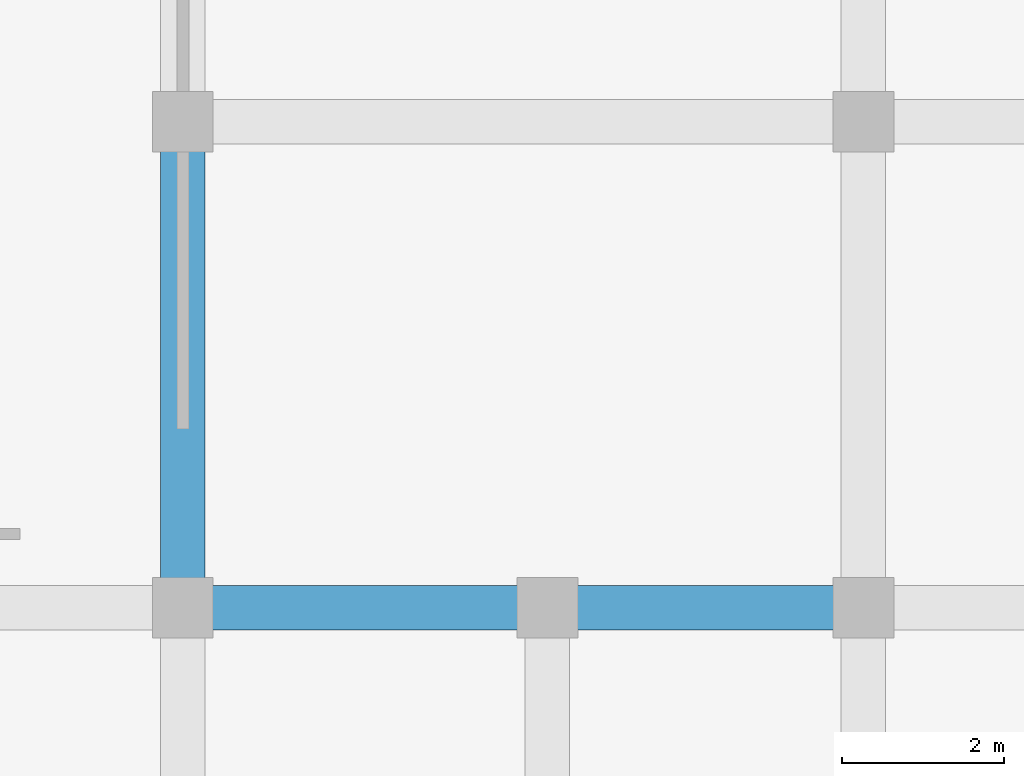
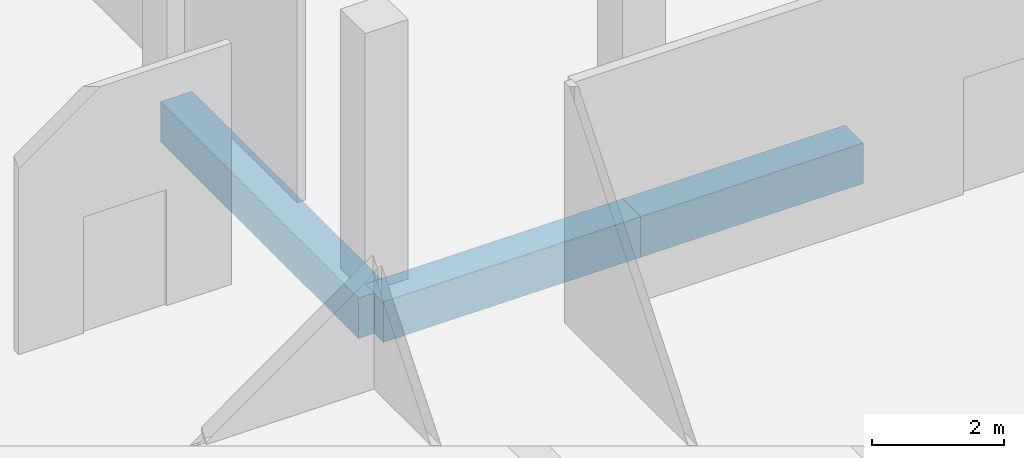
# One storey, part 64 of 155: 3 beams.
"""IFC4 building model written with IfcOpenShell, lengths in metres."""

import ifcopenshell
import ifcopenshell.guid

model = None  # the IFC model being written
_history = None  # IfcOwnerHistory: only IFC2X3 demands one
_inside = {}  # id of a spatial element -> (the spatial element, [elements in it])
_under = {}  # id of a project, library or spatial element -> (it, [spatial elements below it])
_declared = {}  # id of a project -> (the project, [libraries it declares])
_typed = {}  # id of a type object -> (the type object, [elements of that type])
_made_of = {}  # id of a material, layer set ... -> (it, [elements and type objects made of it])


def new_model(schema):
    """Start an empty IFC model of exactly this schema.

    Asked for "IFC4X3", IfcOpenShell would pick the latest addendum, in which some entities
    have other attributes; the version numbers below select the first issue.
    IFC2X3 requires an IfcOwnerHistory on every rooted entity: one is made here for all.
    """
    global model, _history
    if schema == "IFC4X3":
        model = ifcopenshell.file(schema_version=(4, 3, 0, 0))
    else:
        model = ifcopenshell.file(schema=schema)
    _inside.clear()
    _under.clear()
    _declared.clear()
    _typed.clear()
    _made_of.clear()
    _history = None
    if model.schema == "IFC2X3":
        org = make("IfcOrganization", Name="unknown")
        user = make(
            "IfcPersonAndOrganization",
            ThePerson=make("IfcPerson", FamilyName="unknown"),
            TheOrganization=org,
        )
        app = make(
            "IfcApplication",
            ApplicationDeveloper=org,
            Version="unknown",
            ApplicationFullName="unknown",
            ApplicationIdentifier="unknown",
        )
        _history = make(
            "IfcOwnerHistory",
            OwningUser=user,
            OwningApplication=app,
            ChangeAction="ADDED",
            CreationDate=0,
        )
    return model


def make(cls, **values):
    """One entity of the class cls with the attributes given. An attribute that is None is left unset."""
    return model.create_entity(
        cls, **{name: value for name, value in values.items() if value is not None}
    )


def rooted(cls, **values):
    """An entity with a GlobalId (a new one), such as an element, a storey or a relation."""
    return make(cls, GlobalId=ifcopenshell.guid.new(), OwnerHistory=_history, **values)


def si_unit(unit_type, name, prefix=None):
    """IfcSIUnit, for example si_unit("LENGTHUNIT", "METRE", prefix="MILLI")."""
    return make("IfcSIUnit", UnitType=unit_type, Prefix=prefix, Name=name)


def assignment(units):
    """IfcUnitAssignment: the units of a project."""
    return None if units is None else make("IfcUnitAssignment", Units=units)


def point(xyz):
    """IfcCartesianPoint."""
    return None if xyz is None else make("IfcCartesianPoint", Coordinates=xyz)


def direction(xyz):
    """IfcDirection."""
    return None if xyz is None else make("IfcDirection", DirectionRatios=xyz)


def frame(location, z_axis=None, x_axis=None):
    """IfcAxis2Placement3D, a coordinate frame: its origin and axes. An axis left out is left unset."""
    return make(
        "IfcAxis2Placement3D",
        Location=point(location),
        Axis=direction(z_axis),
        RefDirection=direction(x_axis),
    )


def frame_2d(location, x_axis=None):
    """IfcAxis2Placement2D, a coordinate frame in the plane: its origin and x axis."""
    return make(
        "IfcAxis2Placement2D", Location=point(location), RefDirection=direction(x_axis)
    )


def origin():
    """The frame at (0, 0, 0) with its axes left unset."""
    return frame((0.0, 0.0, 0.0))


def origin_2d():
    """The frame at (0, 0) in the plane with its x axis left unset."""
    return frame_2d((0.0, 0.0))


def place(relative_to, where):
    """IfcLocalPlacement: puts the frame where relative to a parent placement (None: the world)."""
    return make(
        "IfcLocalPlacement", PlacementRelTo=relative_to, RelativePlacement=where
    )


def context(
    kind, dimensions, precision=None, world=None, true_north=None, identifier=None
):
    """IfcGeometricRepresentationContext, for example the 3D "Model" context."""
    return make(
        "IfcGeometricRepresentationContext",
        ContextIdentifier=identifier,
        ContextType=kind,
        CoordinateSpaceDimension=dimensions,
        Precision=precision,
        WorldCoordinateSystem=world,
        TrueNorth=true_north,
    )


def subcontext(parent, identifier, kind, view, scale=None):
    """IfcGeometricRepresentationSubContext, for example "Body" below "Model"."""
    return make(
        "IfcGeometricRepresentationSubContext",
        ContextIdentifier=identifier,
        ContextType=kind,
        ParentContext=parent,
        TargetScale=scale,
        TargetView=view,
    )


def project(units=None, contexts=None):
    """IfcProject with its units and contexts."""
    return rooted(
        "IfcProject",
        Name="project",
        RepresentationContexts=contexts,
        UnitsInContext=assignment(units),
    )


def spatial(cls, under=None, at=None, **own):
    """A site, building, storey or space (cls), placed at a placement, below another one or the project."""
    s = rooted(cls, ObjectPlacement=at, **own)
    if under is not None:
        _under.setdefault(under.id(), (under, []))[1].append(s)
    return s


def profile(cls, at=None, kind="AREA", **sizes):
    """A parametric profile (cls). Its sizes go by their IFC names, for example OverallWidth=200.0."""
    return make(cls, ProfileType=kind, Position=at, **sizes)


def rectangle(**sizes):
    """IfcRectangleProfileDef."""
    return profile("IfcRectangleProfileDef", **sizes)


def extrude(swept, where, along, depth):
    """IfcExtrudedAreaSolid: the profile swept, set in the frame where, extruded along a direction by depth."""
    return make(
        "IfcExtrudedAreaSolid",
        SweptArea=swept,
        Position=where,
        ExtrudedDirection=direction(along),
        Depth=depth,
    )


def shape(context_of_items, identifier, shape_type, items):
    """IfcShapeRepresentation: the items that make up one representation, for example the "Body"."""
    return make(
        "IfcShapeRepresentation",
        ContextOfItems=context_of_items,
        RepresentationIdentifier=identifier,
        RepresentationType=shape_type,
        Items=items,
    )


def material(Name=None, Category=None):
    """IfcMaterial."""
    return make("IfcMaterial", Name=Name, Category=Category)


def material_profile(
    of_material, cross_section, Name=None, Category=None, Priority=None
):
    """IfcMaterialProfile: a cross section and its material."""
    return make(
        "IfcMaterialProfile",
        Name=Name,
        Material=of_material,
        Profile=cross_section,
        Priority=Priority,
        Category=Category,
    )


def profile_set(profiles, Name=None, composite=None):
    """IfcMaterialProfileSet."""
    return make(
        "IfcMaterialProfileSet",
        Name=Name,
        MaterialProfiles=profiles,
        CompositeProfile=composite,
    )


def made_of(thing, what):
    """Note that an element or type object is made of a material, layer set ...; save() writes the relation."""
    if what is not None:
        _made_of.setdefault(what.id(), (what, []))[1].append(thing)
    return thing


def type_object(cls, material=None, **own):
    """A type object (cls), such as IfcWallType, which elements share."""
    return made_of(rooted(cls, **own), material)


def element(
    cls,
    number,
    at=None,
    inside=None,
    cuts=None,
    type_object=None,
    material=None,
    context=None,
    identifier="Body",
    shape_type=None,
    held_by="IfcProductDefinitionShape",
    body=None,
    shapes=None,
    **own,
):
    """One element of the class cls, such as IfcWall. Its Tag is "e" and its number.

    at: its placement. inside: the storey or other place that contains it. cuts: it is an
    opening in that element (IfcRelVoidsElement). A single representation is given by context,
    identifier, shape_type and body (its items); several are given by shapes. held_by: the class
    of the entity that holds the representations. save() writes the other relations.
    """
    e = rooted(cls, Tag="e%d" % number, ObjectPlacement=at, **own)
    if body is not None:
        shapes = [shape(context, identifier, shape_type, body)]
    if shapes is not None:
        e.Representation = make(held_by, Representations=shapes)
    if inside is not None:
        _inside.setdefault(inside.id(), (inside, []))[1].append(e)
    if cuts is not None:
        rooted(
            "IfcRelVoidsElement", RelatingBuildingElement=cuts, RelatedOpeningElement=e
        )
    if type_object is not None:
        _typed.setdefault(type_object.id(), (type_object, []))[1].append(e)
    return made_of(e, material)


def aggregate(whole, parts):
    """IfcRelAggregates: a whole, such as a stair, and the parts it consists of."""
    return rooted("IfcRelAggregates", RelatingObject=whole, RelatedObjects=parts)


def save(model, path):
    """Write the relations noted so far, then the file.

    IfcRelAggregates (storeys below a building ...), IfcRelContainedInSpatialStructure (elements
    in a storey), IfcRelDefinesByType, IfcRelAssociatesMaterial and IfcRelDeclares: one each for
    every whole, place, type object, material and project.
    """
    for whole, parts in _under.values():
        aggregate(whole, parts)
    for where, things in _inside.values():
        rooted(
            "IfcRelContainedInSpatialStructure",
            RelatedElements=things,
            RelatingStructure=where,
        )
    for kind, things in _typed.values():
        rooted("IfcRelDefinesByType", RelatedObjects=things, RelatingType=kind)
    for what, things in _made_of.values():
        rooted("IfcRelAssociatesMaterial", RelatedObjects=things, RelatingMaterial=what)
    for by, libraries in _declared.values():
        rooted("IfcRelDeclares", RelatingContext=by, RelatedDefinitions=libraries)
    model.write(path)


model = new_model("IFC4")

# Units and contexts
model_context = context("Model", 3, precision=1e-05, world=origin(), true_north=direction((0.0, 1.0)))
body_context = subcontext(model_context, "Body", "Model", "MODEL_VIEW")
ifc_project = project(units=[si_unit("LENGTHUNIT", "METRE"), si_unit("AREAUNIT", "SQUARE_METRE"), si_unit("VOLUMEUNIT", "CUBIC_METRE"), si_unit("PLANEANGLEUNIT", "RADIAN"), si_unit("MASSUNIT", "GRAM", prefix="KILO")], contexts=[model_context])

# Site, building, storey
site_placement = place(None, origin())
site = spatial("IfcSite", under=ifc_project, at=site_placement, CompositionType="ELEMENT")
building_placement = place(site_placement, origin())
building = spatial("IfcBuilding", under=site, at=building_placement, Name="Selatvlak General Hospital", CompositionType="ELEMENT")
storey_placement = place(building_placement, frame((0.0, 0.0, 10.199951171875)))
storey = spatial("IfcBuildingStorey", under=building, at=storey_placement, Name="L02", CompositionType="ELEMENT", Elevation=10.199951171875)

# Beams
ifc_material = material(Name="Concrete C40/50", Category="concrete")
ifc_material_profile = material_profile(ifc_material, rectangle(XDim=0.550048828125, YDim=0.75, at=origin_2d()), Name="RC-BM 550x750")
ifc_profile_set = profile_set([ifc_material_profile], Name="Concrete C40/50")
beam_type = type_object("IfcBeamType", Name="BM-G02", PredefinedType="BEAM", material=ifc_profile_set)
beam_1_placement = place(storey_placement, frame((22.800048828125, 108.0, -0.72998046875), z_axis=(1.0, 0.0, 0.0), x_axis=(0.0, 1.0, 0.0)))
element("IfcBeam", 1, at=beam_1_placement, inside=storey, type_object=beam_type, Name="Beam BMR-L02-0882", PredefinedType="BEAM", context=body_context, shape_type="SweptSolid", body=[
    extrude(rectangle(XDim=0.550048828125, YDim=0.75, at=origin_2d()), origin(), (0.0, 0.0, 1.0), 4.5),
])
beam_2_placement = place(storey_placement, frame((27.300048828125, 108.0, -0.72998046875), z_axis=(1.0, 0.0, 0.0), x_axis=(0.0, 1.0, 0.0)))
element("IfcBeam", 2, at=beam_2_placement, inside=storey, type_object=beam_type, Name="Beam BMR-L02-0883", PredefinedType="BEAM", context=body_context, shape_type="SweptSolid", body=[
    extrude(rectangle(XDim=0.550048828125, YDim=0.75, at=origin_2d()), origin(), (0.0, 0.0, 1.0), 3.89990234375),
])
beam_3_placement = place(storey_placement, frame((22.800048828125, 108.0, -0.72998046875), z_axis=(0.0, 1.0, 0.0), x_axis=(-1.0, 0.0, 0.0)))
element("IfcBeam", 3, at=beam_3_placement, inside=storey, type_object=beam_type, Name="Beam BMR-L02-0932", PredefinedType="BEAM", context=body_context, shape_type="SweptSolid", body=[
    extrude(rectangle(XDim=0.550048828125, YDim=0.75, at=origin_2d()), origin(), (0.0, 0.0, 1.0), 6.0),
])

save(model, "model.ifc")
